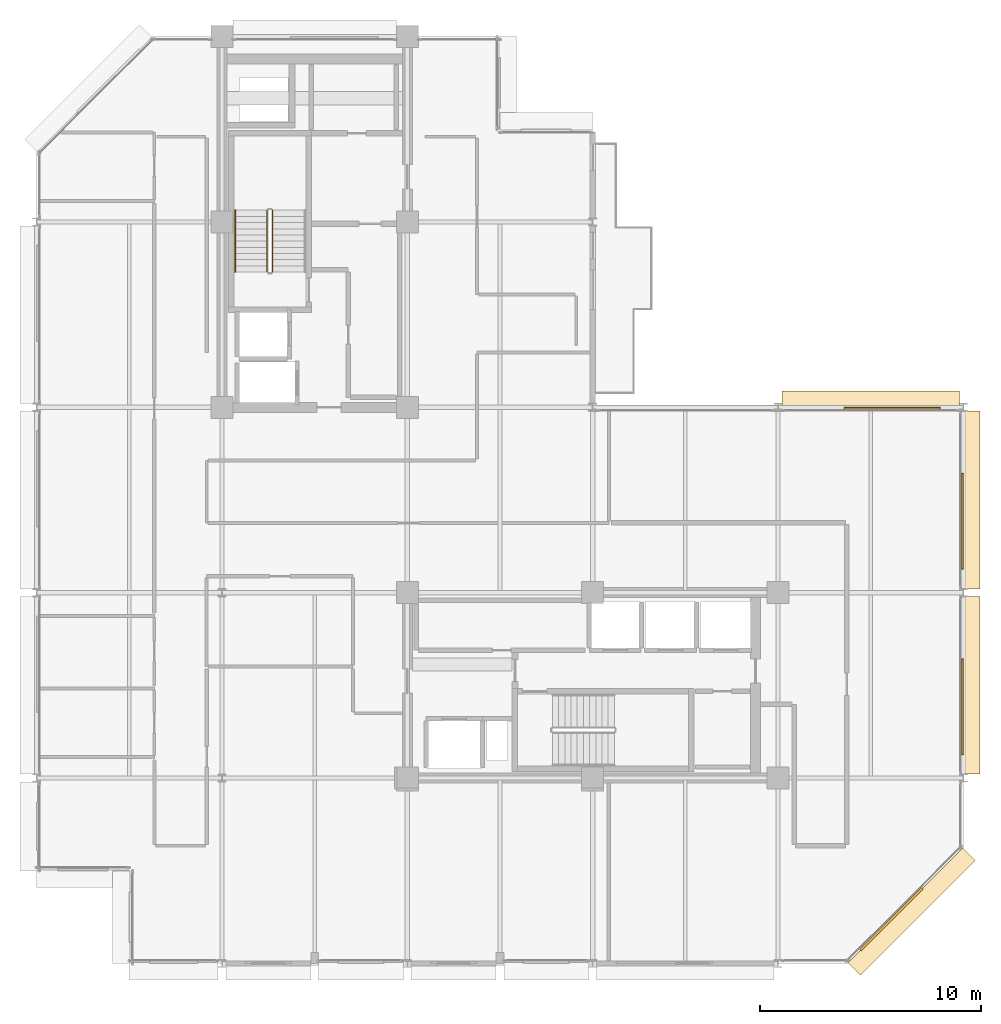
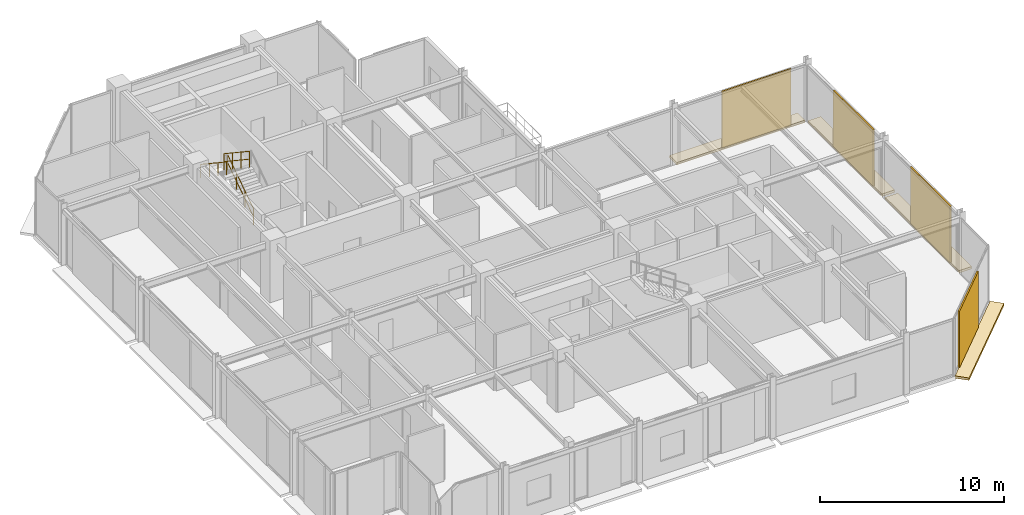
# One storey, part 25 of 26: 8 coverings, 3 railings.
"""IFC4 building model written with IfcOpenShell, lengths in metres."""

from ifc_helpers import new_model, si_unit, direction, frame, origin, origin_2d, place, context, subcontext, project, spatial, polyline, rectangle, circle, outline, extrude, material, layer, layer_set, type_object, element, save


model = new_model("IFC4")

# Units and contexts
model_context = context("Model", 3, precision=1e-05, world=origin(), true_north=direction((0.0, 1.0)))
body_context = subcontext(model_context, "Body", "Model", "MODEL_VIEW")
ifc_project = project(units=[si_unit("LENGTHUNIT", "METRE"), si_unit("AREAUNIT", "SQUARE_METRE"), si_unit("VOLUMEUNIT", "CUBIC_METRE"), si_unit("PLANEANGLEUNIT", "RADIAN"), si_unit("MASSUNIT", "GRAM", prefix="KILO")], contexts=[model_context])

# Site, building, storey
site_placement = place(None, origin())
site = spatial("IfcSite", under=ifc_project, at=site_placement, CompositionType="ELEMENT")
building_placement = place(site_placement, origin())
building = spatial("IfcBuilding", under=site, at=building_placement, Name="Nerrivon Quay Data Exchange", CompositionType="ELEMENT")
storey_placement = place(building_placement, frame((0.0, 0.0, 241.10009765625)))
storey = spatial("IfcBuildingStorey", under=building, at=storey_placement, Name="L57", CompositionType="ELEMENT", Elevation=241.10009765625)

# Coverings
ifc_material_1 = material(Name="Architectural terracotta ceramic", Category="masonry")
ifc_layer_1 = layer(ifc_material_1, 0.159912109375)
ifc_layer_set_1 = layer_set([ifc_layer_1], Name="Architectural terracotta ceramic")
covering_type_1 = type_object("IfcCoveringType", Name="COV-BLD-TERR", PredefinedType="CLADDING", material=ifc_layer_set_1)
covering_1_placement = place(storey_placement, frame((0.0, 0.0, -0.16015625)))
element("IfcCovering", 1, at=covering_1_placement, inside=storey, type_object=covering_type_1, Name="L57 Horizontal Terracotta SOLAR SCREEN Blade", PredefinedType="CLADDING", context=body_context, shape_type="SweptSolid", body=[
    extrude(outline(polyline([(41.9716796875, 5.228271484375), (36.771728515625, 0.0283203125), (37.330322265625, -0.5302734375), (42.5302734375, 4.669677734375), (41.9716796875, 5.228271484375)])), origin(), (0.0, 0.0, 1.0), 0.16015625),
])
covering_2_placement = place(storey_placement, frame((0.0, 0.0, -0.16015625)))
element("IfcCovering", 2, at=covering_2_placement, inside=storey, type_object=covering_type_1, Name="L57 Horizontal Terracotta SOLAR SCREEN Blade", PredefinedType="CLADDING", context=body_context, shape_type="SweptSolid", body=[
    extrude(outline(polyline([(33.77490234375, 25.159912109375), (41.824951171875, 25.159912109375), (41.824951171875, 25.949951171875), (33.77490234375, 25.949951171875), (33.77490234375, 25.159912109375)])), origin(), (0.0, 0.0, 1.0), 0.16015625),
])
covering_3_placement = place(storey_placement, frame((0.0, 0.0, -0.16015625)))
element("IfcCovering", 3, at=covering_3_placement, inside=storey, type_object=covering_type_1, Name="L57 Horizontal Terracotta SOLAR SCREEN Blade", PredefinedType="CLADDING", context=body_context, shape_type="SweptSolid", body=[
    extrude(outline(polyline([(41.9599609375, 25.02490234375), (41.9599609375, 16.97509765625), (42.75, 16.97509765625), (42.75, 25.02490234375), (41.9599609375, 25.02490234375)])), origin(), (0.0, 0.0, 1.0), 0.16015625),
])
covering_4_placement = place(storey_placement, frame((0.0, 0.0, -0.16015625)))
element("IfcCovering", 4, at=covering_4_placement, inside=storey, type_object=covering_type_1, Name="L57 Horizontal Terracotta SOLAR SCREEN Blade", PredefinedType="CLADDING", context=body_context, shape_type="SweptSolid", body=[
    extrude(outline(polyline([(41.9599609375, 16.625), (41.9599609375, 8.574951171875), (42.75, 8.574951171875), (42.75, 16.625), (41.9599609375, 16.625)])), origin(), (0.0, 0.0, 1.0), 0.16015625),
])
ifc_layer_2 = layer(ifc_material_1, 0.090087890625)
ifc_layer_set_2 = layer_set([ifc_layer_2], Name="Architectural terracotta ceramic")
covering_type_2 = type_object("IfcCoveringType", Name="COV-SCR-TERR", PredefinedType="CLADDING", material=ifc_layer_set_2)
covering_5_placement = place(storey_placement, frame((38.744140625, 2.0078125, 0.0), z_axis=(0.0, 0.0, 1.0), x_axis=(-0.707106781187, -0.707106781187, 0.0)))
element("IfcCovering", 5, at=covering_5_placement, inside=storey, type_object=covering_type_2, Name="L57 Perforated Terracotta SOLAR SCREEN Cassette", PredefinedType="CLADDING", context=body_context, shape_type="SweptSolid", body=[
    extrude(rectangle(XDim=3.970947265625, YDim=0.090087890625, at=origin_2d()), origin(), (0.0, 0.0, 1.0), 3.75),
])
for number, where, z_axis, x_axis, name in (
    (6, (38.76611328125, 25.155029296875, 0.0), (0.0, 0.0, 1.0), (1.0, 0.0, 0.0), "L57 Perforated Terracotta SOLAR SCREEN Cassette"),
    (7, (41.955078125, 20.033935546875, 0.0), (0.0, 0.0, 1.0), (0.0, -1.0, 0.0), "L57 Perforated Terracotta SOLAR SCREEN Cassette"),
    (8, (41.955078125, 11.634033203125, 0.0), (0.0, 0.0, 1.0), (0.0, -1.0, 0.0), "L57 Perforated Terracotta SOLAR SCREEN Cassette"),
):
    element("IfcCovering", number, at=place(storey_placement, frame(where, z_axis=z_axis, x_axis=x_axis)), inside=storey, type_object=covering_type_2, Name=name, PredefinedType="CLADDING", context=body_context, shape_type="SweptSolid", body=[
        extrude(rectangle(XDim=4.346923828125, YDim=0.090087890625, at=origin_2d()), origin(), (0.0, 0.0, 1.0), 3.75),
    ])

# Railings
ifc_material_2 = material(Name="Steel Grade C350L0 (350 MPa)", Category="steel")
railing_type_1 = type_object("IfcRailingType", Name="RAIL-HAND-HR1", PredefinedType="HANDRAIL", material=ifc_material_2)
railing_1_placement = place(storey_placement, frame((9.0, 34.1298828125, 2.236328125)))
element("IfcRailing", 9, at=railing_1_placement, inside=storey, type_object=railing_type_1, Name="L57 ST01 stair handrail 2", PredefinedType="HANDRAIL", context=body_context, shape_type="SweptSolid", body=[
    extrude(circle(Radius=0.02392578125, at=origin_2d()), frame((0.0, 0.0, 0.8759765625), z_axis=(0.0, -0.832463268671, 0.554080234545), x_axis=(1.0, 0.0, 0.0)), (0.0, 0.0, 1.0), 3.36328125),
    extrude(circle(Radius=0.02099609375, at=origin_2d()), origin(), (0.0, 0.0, 1.0), 0.851806640625),
    extrude(circle(Radius=0.02099609375, at=origin_2d()), frame((0.0, -0.933349609375, 0.62109375)), (0.0, 0.0, 1.0), 0.851806640625),
    extrude(circle(Radius=0.02099609375, at=origin_2d()), frame((0.0, -1.866455078125, 1.242431640625)), (0.0, 0.0, 1.0), 0.851806640625),
    extrude(circle(Radius=0.02099609375, at=origin_2d()), frame((0.0, -2.7998046875, 1.863525390625)), (0.0, 0.0, 1.0), 0.851806640625),
])
railing_type_2 = type_object("IfcRailingType", Name="RAIL-STAIR-GR1", PredefinedType="BALUSTRADE", material=ifc_material_2)
railing_2_placement = place(storey_placement, frame((10.699951171875, 31.330078125, 0.186279296875)))
element("IfcRailing", 10, at=railing_2_placement, inside=storey, type_object=railing_type_2, Name="L57 ST01 stair guard 1", PredefinedType="BALUSTRADE", context=body_context, shape_type="SweptSolid", body=[
    extrude(circle(Radius=0.02392578125, at=origin_2d()), frame((0.0, 0.0, 1.076171875), z_axis=(0.0, 0.832463268671, 0.554080234545), x_axis=(-1.0, 0.0, 0.0)), (0.0, 0.0, 1.0), 3.36328125),
    extrude(circle(Radius=0.02392578125, at=origin_2d()), frame((0.0, 0.0, 0.550048828125), z_axis=(0.0, 0.832463268671, 0.554080234545), x_axis=(-1.0, 0.0, 0.0)), (0.0, 0.0, 1.0), 3.36328125),
    extrude(circle(Radius=0.02099609375, at=origin_2d()), origin(), (0.0, 0.0, 1.0), 1.052001953125),
    extrude(circle(Radius=0.02099609375, at=origin_2d()), frame((0.0, 0.933349609375, 0.62109375)), (0.0, 0.0, 1.0), 1.052001953125),
    extrude(circle(Radius=0.02099609375, at=origin_2d()), frame((0.0, 1.866455078125, 1.242431640625)), (0.0, 0.0, 1.0), 1.052001953125),
    extrude(circle(Radius=0.02099609375, at=origin_2d()), frame((0.0, 2.7998046875, 1.863525390625)), (0.0, 0.0, 1.0), 1.052001953125),
])
railing_3_placement = place(storey_placement, frame((10.449951171875, 34.1298828125, 2.236328125)))
element("IfcRailing", 11, at=railing_3_placement, inside=storey, type_object=railing_type_2, Name="L57 ST01 stair guard 3", PredefinedType="BALUSTRADE", context=body_context, shape_type="SweptSolid", body=[
    extrude(circle(Radius=0.02392578125, at=origin_2d()), frame((0.0, 0.0, 1.076171875), z_axis=(0.0, -0.832463268671, 0.554080234545), x_axis=(1.0, 0.0, 0.0)), (0.0, 0.0, 1.0), 3.36328125),
    extrude(circle(Radius=0.02392578125, at=origin_2d()), frame((0.0, 0.0, 0.550048828125), z_axis=(0.0, -0.832463268671, 0.554080234545), x_axis=(1.0, 0.0, 0.0)), (0.0, 0.0, 1.0), 3.36328125),
    extrude(circle(Radius=0.02099609375, at=origin_2d()), origin(), (0.0, 0.0, 1.0), 1.052001953125),
    extrude(circle(Radius=0.02099609375, at=origin_2d()), frame((0.0, -0.933349609375, 0.62109375)), (0.0, 0.0, 1.0), 1.052001953125),
    extrude(circle(Radius=0.02099609375, at=origin_2d()), frame((0.0, -1.866455078125, 1.242431640625)), (0.0, 0.0, 1.0), 1.052001953125),
    extrude(circle(Radius=0.02099609375, at=origin_2d()), frame((0.0, -2.7998046875, 1.863525390625)), (0.0, 0.0, 1.0), 1.052001953125),
])

save(model, "model.ifc")
